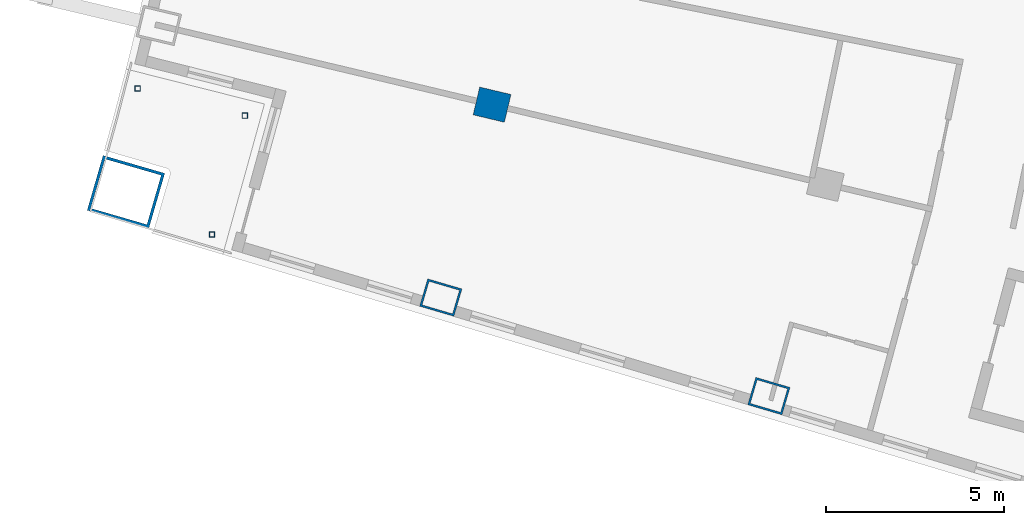
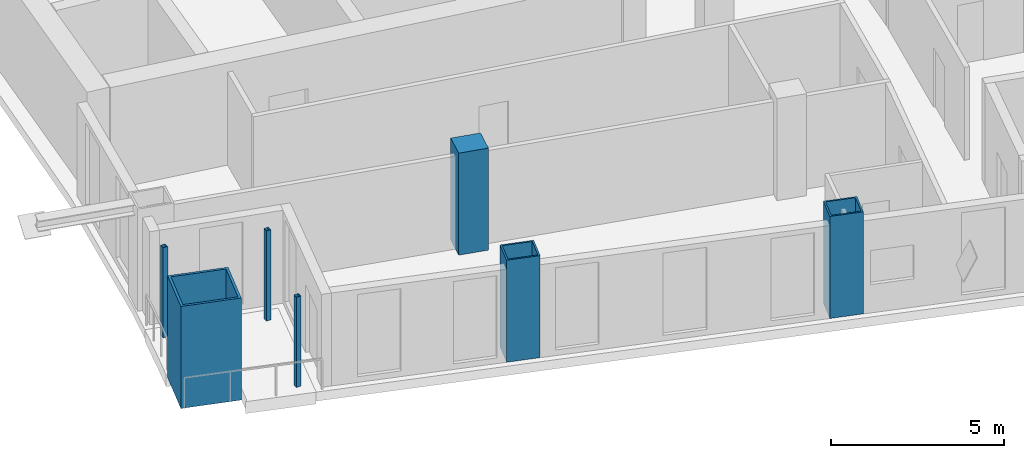
# One storey, part 1 of 21: 7 columns.
"""IFC4 building model written with IfcOpenShell, lengths in metres."""

import ifcopenshell
import ifcopenshell.guid

model = None  # the IFC model being written
_history = None  # IfcOwnerHistory: only IFC2X3 demands one
_inside = {}  # id of a spatial element -> (the spatial element, [elements in it])
_under = {}  # id of a project, library or spatial element -> (it, [spatial elements below it])
_declared = {}  # id of a project -> (the project, [libraries it declares])
_typed = {}  # id of a type object -> (the type object, [elements of that type])
_made_of = {}  # id of a material, layer set ... -> (it, [elements and type objects made of it])


def new_model(schema):
    """Start an empty IFC model of exactly this schema.

    Asked for "IFC4X3", IfcOpenShell would pick the latest addendum, in which some entities
    have other attributes; the version numbers below select the first issue.
    IFC2X3 requires an IfcOwnerHistory on every rooted entity: one is made here for all.
    """
    global model, _history
    if schema == "IFC4X3":
        model = ifcopenshell.file(schema_version=(4, 3, 0, 0))
    else:
        model = ifcopenshell.file(schema=schema)
    _inside.clear()
    _under.clear()
    _declared.clear()
    _typed.clear()
    _made_of.clear()
    _history = None
    if model.schema == "IFC2X3":
        org = make("IfcOrganization", Name="unknown")
        user = make(
            "IfcPersonAndOrganization",
            ThePerson=make("IfcPerson", FamilyName="unknown"),
            TheOrganization=org,
        )
        app = make(
            "IfcApplication",
            ApplicationDeveloper=org,
            Version="unknown",
            ApplicationFullName="unknown",
            ApplicationIdentifier="unknown",
        )
        _history = make(
            "IfcOwnerHistory",
            OwningUser=user,
            OwningApplication=app,
            ChangeAction="ADDED",
            CreationDate=0,
        )
    return model


def make(cls, **values):
    """One entity of the class cls with the attributes given. An attribute that is None is left unset."""
    return model.create_entity(
        cls, **{name: value for name, value in values.items() if value is not None}
    )


def rooted(cls, **values):
    """An entity with a GlobalId (a new one), such as an element, a storey or a relation."""
    return make(cls, GlobalId=ifcopenshell.guid.new(), OwnerHistory=_history, **values)


def si_unit(unit_type, name, prefix=None):
    """IfcSIUnit, for example si_unit("LENGTHUNIT", "METRE", prefix="MILLI")."""
    return make("IfcSIUnit", UnitType=unit_type, Prefix=prefix, Name=name)


def assignment(units):
    """IfcUnitAssignment: the units of a project."""
    return None if units is None else make("IfcUnitAssignment", Units=units)


def point(xyz):
    """IfcCartesianPoint."""
    return None if xyz is None else make("IfcCartesianPoint", Coordinates=xyz)


def direction(xyz):
    """IfcDirection."""
    return None if xyz is None else make("IfcDirection", DirectionRatios=xyz)


def frame(location, z_axis=None, x_axis=None):
    """IfcAxis2Placement3D, a coordinate frame: its origin and axes. An axis left out is left unset."""
    return make(
        "IfcAxis2Placement3D",
        Location=point(location),
        Axis=direction(z_axis),
        RefDirection=direction(x_axis),
    )


def frame_2d(location, x_axis=None):
    """IfcAxis2Placement2D, a coordinate frame in the plane: its origin and x axis."""
    return make(
        "IfcAxis2Placement2D", Location=point(location), RefDirection=direction(x_axis)
    )


def origin():
    """The frame at (0, 0, 0) with its axes left unset."""
    return frame((0.0, 0.0, 0.0))


def origin_2d():
    """The frame at (0, 0) in the plane with its x axis left unset."""
    return frame_2d((0.0, 0.0))


def place(relative_to, where):
    """IfcLocalPlacement: puts the frame where relative to a parent placement (None: the world)."""
    return make(
        "IfcLocalPlacement", PlacementRelTo=relative_to, RelativePlacement=where
    )


def context(
    kind, dimensions, precision=None, world=None, true_north=None, identifier=None
):
    """IfcGeometricRepresentationContext, for example the 3D "Model" context."""
    return make(
        "IfcGeometricRepresentationContext",
        ContextIdentifier=identifier,
        ContextType=kind,
        CoordinateSpaceDimension=dimensions,
        Precision=precision,
        WorldCoordinateSystem=world,
        TrueNorth=true_north,
    )


def subcontext(parent, identifier, kind, view, scale=None):
    """IfcGeometricRepresentationSubContext, for example "Body" below "Model"."""
    return make(
        "IfcGeometricRepresentationSubContext",
        ContextIdentifier=identifier,
        ContextType=kind,
        ParentContext=parent,
        TargetScale=scale,
        TargetView=view,
    )


def project(units=None, contexts=None):
    """IfcProject with its units and contexts."""
    return rooted(
        "IfcProject",
        Name="project",
        RepresentationContexts=contexts,
        UnitsInContext=assignment(units),
    )


def spatial(cls, under=None, at=None, **own):
    """A site, building, storey or space (cls), placed at a placement, below another one or the project."""
    s = rooted(cls, ObjectPlacement=at, **own)
    if under is not None:
        _under.setdefault(under.id(), (under, []))[1].append(s)
    return s


def profile(cls, at=None, kind="AREA", **sizes):
    """A parametric profile (cls). Its sizes go by their IFC names, for example OverallWidth=200.0."""
    return make(cls, ProfileType=kind, Position=at, **sizes)


def rectangle(**sizes):
    """IfcRectangleProfileDef."""
    return profile("IfcRectangleProfileDef", **sizes)


def hollow_rectangle(**sizes):
    """IfcRectangleHollowProfileDef."""
    return profile("IfcRectangleHollowProfileDef", **sizes)


def extrude(swept, where, along, depth):
    """IfcExtrudedAreaSolid: the profile swept, set in the frame where, extruded along a direction by depth."""
    return make(
        "IfcExtrudedAreaSolid",
        SweptArea=swept,
        Position=where,
        ExtrudedDirection=direction(along),
        Depth=depth,
    )


def shape(context_of_items, identifier, shape_type, items):
    """IfcShapeRepresentation: the items that make up one representation, for example the "Body"."""
    return make(
        "IfcShapeRepresentation",
        ContextOfItems=context_of_items,
        RepresentationIdentifier=identifier,
        RepresentationType=shape_type,
        Items=items,
    )


def material(Name=None, Category=None):
    """IfcMaterial."""
    return make("IfcMaterial", Name=Name, Category=Category)


def material_profile(
    of_material, cross_section, Name=None, Category=None, Priority=None
):
    """IfcMaterialProfile: a cross section and its material."""
    return make(
        "IfcMaterialProfile",
        Name=Name,
        Material=of_material,
        Profile=cross_section,
        Priority=Priority,
        Category=Category,
    )


def profile_set(profiles, Name=None, composite=None):
    """IfcMaterialProfileSet."""
    return make(
        "IfcMaterialProfileSet",
        Name=Name,
        MaterialProfiles=profiles,
        CompositeProfile=composite,
    )


def made_of(thing, what):
    """Note that an element or type object is made of a material, layer set ...; save() writes the relation."""
    if what is not None:
        _made_of.setdefault(what.id(), (what, []))[1].append(thing)
    return thing


def type_object(cls, material=None, **own):
    """A type object (cls), such as IfcWallType, which elements share."""
    return made_of(rooted(cls, **own), material)


def element(
    cls,
    number,
    at=None,
    inside=None,
    cuts=None,
    type_object=None,
    material=None,
    context=None,
    identifier="Body",
    shape_type=None,
    held_by="IfcProductDefinitionShape",
    body=None,
    shapes=None,
    **own,
):
    """One element of the class cls, such as IfcWall. Its Tag is "e" and its number.

    at: its placement. inside: the storey or other place that contains it. cuts: it is an
    opening in that element (IfcRelVoidsElement). A single representation is given by context,
    identifier, shape_type and body (its items); several are given by shapes. held_by: the class
    of the entity that holds the representations. save() writes the other relations.
    """
    e = rooted(cls, Tag="e%d" % number, ObjectPlacement=at, **own)
    if body is not None:
        shapes = [shape(context, identifier, shape_type, body)]
    if shapes is not None:
        e.Representation = make(held_by, Representations=shapes)
    if inside is not None:
        _inside.setdefault(inside.id(), (inside, []))[1].append(e)
    if cuts is not None:
        rooted(
            "IfcRelVoidsElement", RelatingBuildingElement=cuts, RelatedOpeningElement=e
        )
    if type_object is not None:
        _typed.setdefault(type_object.id(), (type_object, []))[1].append(e)
    return made_of(e, material)


def aggregate(whole, parts):
    """IfcRelAggregates: a whole, such as a stair, and the parts it consists of."""
    return rooted("IfcRelAggregates", RelatingObject=whole, RelatedObjects=parts)


def save(model, path):
    """Write the relations noted so far, then the file.

    IfcRelAggregates (storeys below a building ...), IfcRelContainedInSpatialStructure (elements
    in a storey), IfcRelDefinesByType, IfcRelAssociatesMaterial and IfcRelDeclares: one each for
    every whole, place, type object, material and project.
    """
    for whole, parts in _under.values():
        aggregate(whole, parts)
    for where, things in _inside.values():
        rooted(
            "IfcRelContainedInSpatialStructure",
            RelatedElements=things,
            RelatingStructure=where,
        )
    for kind, things in _typed.values():
        rooted("IfcRelDefinesByType", RelatedObjects=things, RelatingType=kind)
    for what, things in _made_of.values():
        rooted("IfcRelAssociatesMaterial", RelatedObjects=things, RelatingMaterial=what)
    for by, libraries in _declared.values():
        rooted("IfcRelDeclares", RelatingContext=by, RelatedDefinitions=libraries)
    model.write(path)


model = new_model("IFC4")

# Units and contexts
model_context = context("Model", 3, precision=1e-05, world=origin(), true_north=direction((0.0, 1.0)))
body_context = subcontext(model_context, "Body", "Model", "MODEL_VIEW")
ifc_project = project(units=[si_unit("LENGTHUNIT", "METRE"), si_unit("AREAUNIT", "SQUARE_METRE"), si_unit("VOLUMEUNIT", "CUBIC_METRE"), si_unit("PLANEANGLEUNIT", "RADIAN"), si_unit("MASSUNIT", "GRAM", prefix="KILO")], contexts=[model_context])

# Site, building, storey
site_placement = place(None, origin())
site = spatial("IfcSite", under=ifc_project, at=site_placement, CompositionType="ELEMENT")
building_placement = place(site_placement, origin())
building = spatial("IfcBuilding", under=site, at=building_placement, Name="Alderwake Tower", CompositionType="ELEMENT")
storey_placement = place(building_placement, frame((0.0, 0.0, 146.0)))
storey = spatial("IfcBuildingStorey", under=building, at=storey_placement, Name="L35", CompositionType="ELEMENT", Elevation=146.0)

# Columns
ifc_material_1 = material(Name="Steel ASTM A572 Grade 50 concrete filled C70/85", Category="concrete")
ifc_material_profile_1 = material_profile(ifc_material_1, hollow_rectangle(XDim=0.800048828125, YDim=1.0, WallThickness=0.054931640625, at=origin_2d()), Name="BOX 1000X800X55")
ifc_profile_set_1 = profile_set([ifc_material_profile_1], Name="Steel ASTM A572 Grade 50 concrete filled C70/85")
column_type_1 = type_object("IfcColumnType", Name="End column Z3", PredefinedType="COLUMN", material=ifc_profile_set_1)
for number, where, z_axis, x_axis, name in (
    (1, (21.885498046875, 31.03759765625, 0.0), (0.0, 0.0, 1.0), (0.282132160283, 0.95937554906, 0.0), "Column R02-C1"),
    (2, (31.080322265625, 28.27685546875, 0.0), (0.0, 0.0, 1.0), (0.282582549822, 0.959242984095, 0.0), "Column R02-C2"),
):
    element("IfcColumn", number, at=place(storey_placement, frame(where, z_axis=z_axis, x_axis=x_axis)), inside=storey, type_object=column_type_1, Name=name, PredefinedType="COLUMN", context=body_context, shape_type="SweptSolid", body=[
        extrude(hollow_rectangle(XDim=0.800048828125, YDim=1.0, WallThickness=0.054931640625, at=origin_2d()), origin(), (0.0, 0.0, 1.0), 3.60009765625),
    ])
ifc_material_2 = material(Name="Concrete C70/85", Category="concrete")
ifc_material_profile_2 = material_profile(ifc_material_2, rectangle(XDim=0.800048828125, YDim=0.89990234375, at=origin_2d()), Name="RC 900X800")
ifc_profile_set_2 = profile_set([ifc_material_profile_2], Name="Concrete C70/85")
column_type_2 = type_object("IfcColumnType", Name="Interior column Z3", PredefinedType="COLUMN", material=ifc_profile_set_2)
column_1_placement = place(storey_placement, frame((23.322021484375, 36.444091796875, 0.0), z_axis=(0.0, 0.0, 1.0), x_axis=(0.231221547198, 0.972901123502, 0.0)))
element("IfcColumn", 3, at=column_1_placement, inside=storey, type_object=column_type_2, Name="Column R03-C1", PredefinedType="COLUMN", context=body_context, shape_type="SweptSolid", body=[
    extrude(rectangle(XDim=0.800048828125, YDim=0.89990234375, at=origin_2d()), origin(), (0.0, 0.0, 1.0), 3.60009765625),
])
ifc_material_3 = material(Name="Steel ASTM A500 Grade C", Category="steel")
ifc_material_profile_3 = material_profile(ifc_material_3, hollow_rectangle(XDim=0.15234375, YDim=0.15234375, WallThickness=0.0087890625, at=origin_2d()), Name="HSS6X6X3/8")
ifc_profile_set_3 = profile_set([ifc_material_profile_3], Name="Steel ASTM A500 Grade C")
column_type_3 = type_object("IfcColumnType", Name="Light post HSS6X6X3/8", PredefinedType="COLUMN", material=ifc_profile_set_3)
for number, where, z_axis, x_axis, name in (
    (4, (13.3896484375, 36.896484375, 0.0), (0.0, 0.0, 1.0), (1.0, 0.0, 0.0), "Terrace post RS1"),
    (5, (15.47412109375, 32.805908203125, 0.0), (0.0, 0.0, 1.0), (1.0, 0.0, 0.0), "Terrace post RS2"),
    (6, (16.39501953125, 36.135986328125, 0.0), (0.0, 0.0, 1.0), (1.0, 0.0, 0.0), "Terrace post RS3"),
):
    element("IfcColumn", number, at=place(storey_placement, frame(where, z_axis=z_axis, x_axis=x_axis)), inside=storey, type_object=column_type_3, Name=name, PredefinedType="COLUMN", context=body_context, shape_type="SweptSolid", body=[
        extrude(hollow_rectangle(XDim=0.15234375, YDim=0.15234375, WallThickness=0.0087890625, at=origin_2d()), origin(), (0.0, 0.0, 1.0), 3.179931640625),
    ])
ifc_material_4 = material(Name="Steel ASTM A572 Grade 50 concrete filled C70/85", Category="concrete")
ifc_material_profile_4 = material_profile(ifc_material_4, hollow_rectangle(XDim=1.60009765625, YDim=1.800048828125, WallThickness=0.080078125, at=origin_2d()), Name="BOX 1800X1600X80")
ifc_profile_set_4 = profile_set([ifc_material_profile_4], Name="Steel ASTM A572 Grade 50 concrete filled C70/85")
column_type_4 = type_object("IfcColumnType", Name="Mega column Z3", PredefinedType="COLUMN", material=ifc_profile_set_4)
column_2_placement = place(storey_placement, frame((13.06298828125, 34.00244140625, 0.0), z_axis=(0.0, 0.0, 1.0), x_axis=(0.278612301868, 0.960403657452, 0.0)))
element("IfcColumn", 7, at=column_2_placement, inside=storey, type_object=column_type_4, Name="Column R02-C0", PredefinedType="COLUMN", context=body_context, shape_type="SweptSolid", body=[
    extrude(hollow_rectangle(XDim=1.60009765625, YDim=1.800048828125, WallThickness=0.080078125, at=origin_2d()), origin(), (0.0, 0.0, 1.0), 3.60009765625),
])

save(model, "model.ifc")
